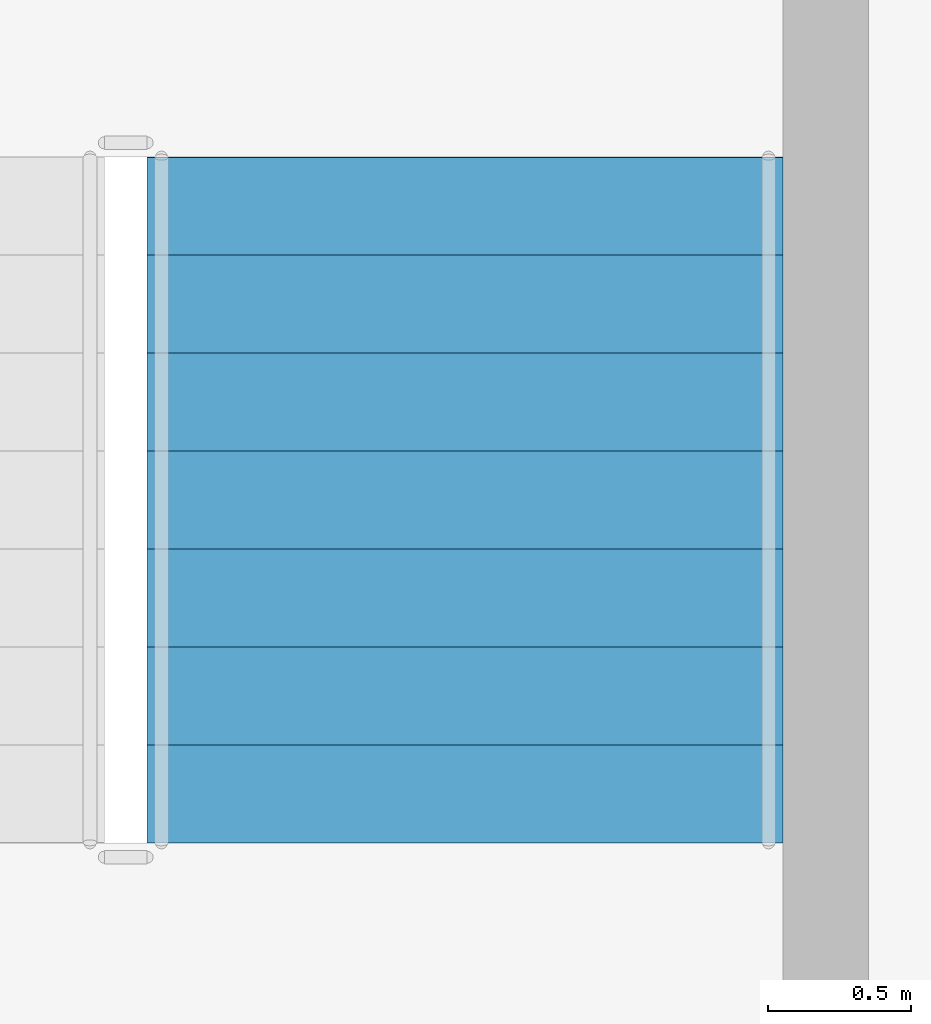
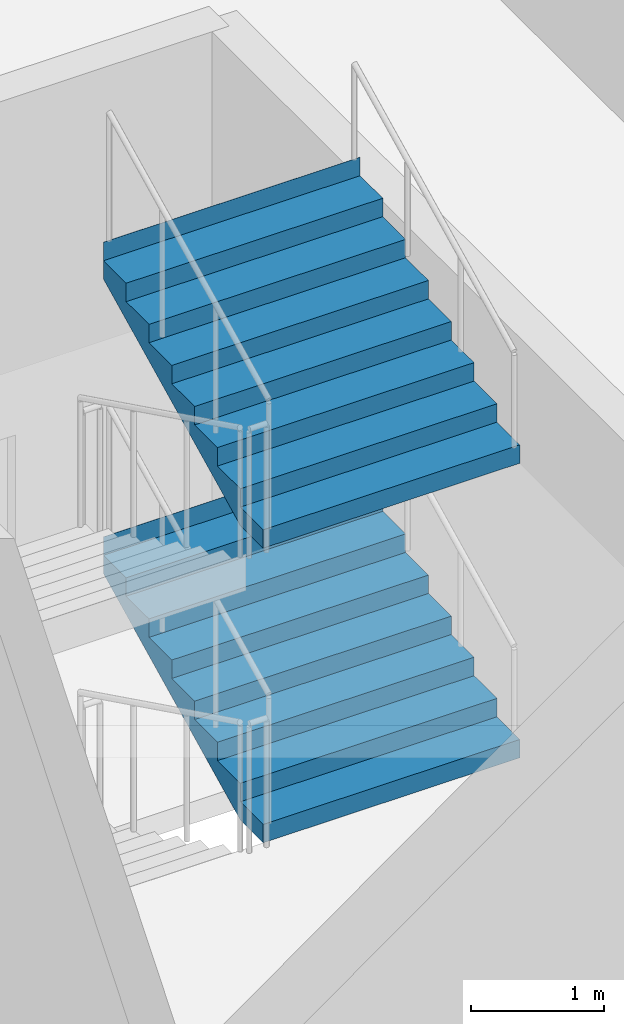
# One storey, part 30 of 42: 2 stair flights, 1 element without a shape of its own.
"""IFC4 building model written with IfcOpenShell, lengths in metres."""

from ifc_helpers import new_model, si_unit, direction, frame, origin, place, context, subcontext, project, spatial, triangles, material, type_object, element, aggregate, save


model = new_model("IFC4")

# Units and contexts
model_context = context("Model", 3, precision=1e-05, world=origin(), true_north=direction((0.0, 1.0)))
body_context = subcontext(model_context, "Body", "Model", "MODEL_VIEW")
ifc_project = project(units=[si_unit("LENGTHUNIT", "METRE"), si_unit("AREAUNIT", "SQUARE_METRE"), si_unit("VOLUMEUNIT", "CUBIC_METRE"), si_unit("PLANEANGLEUNIT", "RADIAN"), si_unit("MASSUNIT", "GRAM", prefix="KILO")], contexts=[model_context])

# Site, building, storey
site_placement = place(None, origin())
site = spatial("IfcSite", under=ifc_project, at=site_placement, CompositionType="ELEMENT")
building_placement = place(site_placement, origin())
building = spatial("IfcBuilding", under=site, at=building_placement, Name="Sahrelin Media Tower", CompositionType="ELEMENT")
storey_placement = place(building_placement, frame((0.0, 0.0, 26.0)))
storey = spatial("IfcBuildingStorey", under=building, at=storey_placement, Name="L03", CompositionType="ELEMENT", Elevation=26.0)

# Stair, stair flights
ifc_material = material(Name="Concrete C40/50", Category="concrete")
stair_type = type_object("IfcStairType", Name="Podium stair 2225", PredefinedType="HALF_TURN_STAIR", material=ifc_material)
stair_placement = place(storey_placement, origin())
stair = element("IfcStair", 1, at=stair_placement, inside=storey, type_object=stair_type, Name="L03 Podium stair PS3", PredefinedType="HALF_TURN_STAIR")
stair_flight_type = type_object("IfcStairFlightType", Name="Stair flight 2225", PredefinedType="STRAIGHT", material=ifc_material)
stair_flight_1_placement = place(storey_placement, frame((-9.46240234375, -33.02490234375, 1.35009765625), z_axis=(0.0, 0.0, 1.0), x_axis=(0.0, 1.0, 0.0)))
stair_flight_1 = element("IfcStairFlight", 2, at=stair_flight_1_placement, type_object=stair_flight_type, Name="PS3 flight 2", NumberOfRisers=8, NumberOfTreads=7, PredefinedType="STRAIGHT", RiserHeight=0.16875, TreadLength=0.342857143, context=body_context, shape_type="Tessellation", body=[
    triangles([(0.33935546875, 1.112548828125, 0.0), (0.33935546875, 0.794677734375, 0.0), (0.33935546875, 0.476806640625, 0.0), (0.33935546875, 0.158935546875, 0.0), (0.33935546875, -0.158935546875, 0.0), (0.33935546875, -0.476806640625, 0.0), (0.33935546875, -0.794677734375, 0.0), (0.33935546875, -1.112548828125, 0.0), (2.39990234375, 1.112548828125, 1.01416015625), (2.39990234375, 0.794677734375, 1.01416015625), (2.39990234375, 0.476806640625, 1.01416015625), (2.39990234375, 0.158935546875, 1.01416015625), (2.39990234375, -0.158935546875, 1.01416015625), (2.39990234375, -0.476806640625, 1.01416015625), (2.39990234375, -0.794677734375, 1.01416015625), (2.39990234375, -1.112548828125, 1.01416015625), (2.39990234375, 1.112548828125, 1.35009765625), (2.39990234375, 0.794677734375, 1.35009765625), (2.39990234375, 0.476806640625, 1.35009765625), (2.39990234375, 0.158935546875, 1.35009765625), (2.39990234375, -0.158935546875, 1.35009765625), (2.39990234375, -0.476806640625, 1.35009765625), (2.39990234375, -0.794677734375, 1.35009765625), (2.39990234375, -1.112548828125, 1.35009765625), (2.39794921875, 1.112548828125, 1.35009765625), (2.39794921875, 0.794677734375, 1.35009765625), (2.39794921875, 0.476806640625, 1.35009765625), (2.39794921875, 0.158935546875, 1.35009765625), (2.39794921875, -0.158935546875, 1.35009765625), (2.39794921875, -0.476806640625, 1.35009765625), (2.39794921875, -0.794677734375, 1.35009765625), (2.39794921875, -1.112548828125, 1.35009765625), (2.39794921875, 1.112548828125, 1.18115234375), (2.39794921875, 0.794677734375, 1.18115234375), (2.39794921875, 0.476806640625, 1.18115234375), (2.39794921875, 0.158935546875, 1.18115234375), (2.39794921875, -0.158935546875, 1.18115234375), (2.39794921875, -0.476806640625, 1.18115234375), (2.39794921875, -0.794677734375, 1.18115234375), (2.39794921875, -1.112548828125, 1.18115234375), (2.05712890625, 1.112548828125, 1.18115234375), (2.05712890625, 0.794677734375, 1.18115234375), (2.05712890625, 0.476806640625, 1.18115234375), (2.05712890625, 0.158935546875, 1.18115234375), (2.05712890625, -0.158935546875, 1.18115234375), (2.05712890625, -0.476806640625, 1.18115234375), (2.05712890625, -0.794677734375, 1.18115234375), (2.05712890625, -1.112548828125, 1.18115234375), (2.05712890625, 1.112548828125, 1.012451171875), (2.05712890625, 0.794677734375, 1.012451171875), (2.05712890625, 0.476806640625, 1.012451171875), (2.05712890625, 0.158935546875, 1.012451171875), (2.05712890625, -0.158935546875, 1.012451171875), (2.05712890625, -0.476806640625, 1.012451171875), (2.05712890625, -0.794677734375, 1.012451171875), (2.05712890625, -1.112548828125, 1.012451171875), (1.71435546875, 1.112548828125, 1.012451171875), (1.71435546875, 0.794677734375, 1.012451171875), (1.71435546875, 0.476806640625, 1.012451171875), (1.71435546875, 0.158935546875, 1.012451171875), (1.71435546875, -0.158935546875, 1.012451171875), (1.71435546875, -0.476806640625, 1.012451171875), (1.71435546875, -0.794677734375, 1.012451171875), (1.71435546875, -1.112548828125, 1.012451171875), (1.71435546875, 1.112548828125, 0.84375), (1.71435546875, 0.794677734375, 0.84375), (1.71435546875, 0.476806640625, 0.84375), (1.71435546875, 0.158935546875, 0.84375), (1.71435546875, -0.158935546875, 0.84375), (1.71435546875, -0.476806640625, 0.84375), (1.71435546875, -0.794677734375, 0.84375), (1.71435546875, -1.112548828125, 0.84375), (1.371337890625, 1.112548828125, 0.84375), (1.371337890625, 0.794677734375, 0.84375), (1.371337890625, 0.476806640625, 0.84375), (1.371337890625, 0.158935546875, 0.84375), (1.371337890625, -0.158935546875, 0.84375), (1.371337890625, -0.476806640625, 0.84375), (1.371337890625, -0.794677734375, 0.84375), (1.371337890625, -1.112548828125, 0.84375), (1.371337890625, 1.112548828125, 0.675048828125), (1.371337890625, 0.794677734375, 0.675048828125), (1.371337890625, 0.476806640625, 0.675048828125), (1.371337890625, 0.158935546875, 0.675048828125), (1.371337890625, -0.158935546875, 0.675048828125), (1.371337890625, -0.476806640625, 0.675048828125), (1.371337890625, -0.794677734375, 0.675048828125), (1.371337890625, -1.112548828125, 0.675048828125), (1.028564453125, 1.112548828125, 0.675048828125), (1.028564453125, 0.794677734375, 0.675048828125), (1.028564453125, 0.476806640625, 0.675048828125), (1.028564453125, 0.158935546875, 0.675048828125), (1.028564453125, -0.158935546875, 0.675048828125), (1.028564453125, -0.476806640625, 0.675048828125), (1.028564453125, -0.794677734375, 0.675048828125), (1.028564453125, -1.112548828125, 0.675048828125), (1.028564453125, 1.112548828125, 0.50634765625), (1.028564453125, 0.794677734375, 0.50634765625), (1.028564453125, 0.476806640625, 0.50634765625), (1.028564453125, 0.158935546875, 0.50634765625), (1.028564453125, -0.158935546875, 0.50634765625), (1.028564453125, -0.476806640625, 0.50634765625), (1.028564453125, -0.794677734375, 0.50634765625), (1.028564453125, -1.112548828125, 0.50634765625), (0.685791015625, 1.112548828125, 0.50634765625), (0.685791015625, 0.794677734375, 0.50634765625), (0.685791015625, 0.476806640625, 0.50634765625), (0.685791015625, 0.158935546875, 0.50634765625), (0.685791015625, -0.158935546875, 0.50634765625), (0.685791015625, -0.476806640625, 0.50634765625), (0.685791015625, -0.794677734375, 0.50634765625), (0.685791015625, -1.112548828125, 0.50634765625), (0.685791015625, 1.112548828125, 0.33740234375), (0.685791015625, 0.794677734375, 0.33740234375), (0.685791015625, 0.476806640625, 0.33740234375), (0.685791015625, 0.158935546875, 0.33740234375), (0.685791015625, -0.158935546875, 0.33740234375), (0.685791015625, -0.476806640625, 0.33740234375), (0.685791015625, -0.794677734375, 0.33740234375), (0.685791015625, -1.112548828125, 0.33740234375), (0.3427734375, 1.112548828125, 0.33740234375), (0.3427734375, 0.794677734375, 0.33740234375), (0.3427734375, 0.476806640625, 0.33740234375), (0.3427734375, 0.158935546875, 0.33740234375), (0.3427734375, -0.158935546875, 0.33740234375), (0.3427734375, -0.476806640625, 0.33740234375), (0.3427734375, -0.794677734375, 0.33740234375), (0.3427734375, -1.112548828125, 0.33740234375), (0.3427734375, 1.112548828125, 0.168701171875), (0.3427734375, 0.794677734375, 0.168701171875), (0.3427734375, 0.476806640625, 0.168701171875), (0.3427734375, 0.158935546875, 0.168701171875), (0.3427734375, -0.158935546875, 0.168701171875), (0.3427734375, -0.476806640625, 0.168701171875), (0.3427734375, -0.794677734375, 0.168701171875), (0.3427734375, -1.112548828125, 0.168701171875), (0.0, 1.112548828125, 0.168701171875), (0.0, 0.794677734375, 0.168701171875), (0.0, 0.476806640625, 0.168701171875), (0.0, 0.158935546875, 0.168701171875), (0.0, -0.158935546875, 0.168701171875), (0.0, -0.476806640625, 0.168701171875), (0.0, -0.794677734375, 0.168701171875), (0.0, -1.112548828125, 0.168701171875), (0.0, 1.112548828125, 0.0), (0.0, 0.794677734375, 0.0), (0.0, 0.476806640625, 0.0), (0.0, 0.158935546875, 0.0), (0.0, -0.158935546875, 0.0), (0.0, -0.476806640625, 0.0), (0.0, -0.794677734375, 0.0), (0.0, -1.112548828125, 0.0)], [[1, 9, 10], [1, 10, 2], [2, 10, 11], [2, 11, 3], [3, 11, 12], [3, 12, 4], [4, 12, 13], [4, 13, 5], [5, 13, 14], [5, 14, 6], [6, 14, 15], [6, 15, 7], [7, 15, 16], [7, 16, 8], [9, 17, 18], [9, 18, 10], [10, 18, 19], [10, 19, 11], [11, 19, 20], [11, 20, 12], [12, 20, 21], [12, 21, 13], [13, 21, 22], [13, 22, 14], [14, 22, 23], [14, 23, 15], [15, 23, 24], [15, 24, 16], [17, 25, 26], [17, 26, 18], [18, 26, 27], [18, 27, 19], [19, 27, 28], [19, 28, 20], [20, 28, 29], [20, 29, 21], [21, 29, 30], [21, 30, 22], [22, 30, 31], [22, 31, 23], [23, 31, 32], [23, 32, 24], [25, 33, 34], [25, 34, 26], [26, 34, 35], [26, 35, 27], [27, 35, 36], [27, 36, 28], [28, 36, 37], [28, 37, 29], [29, 37, 38], [29, 38, 30], [30, 38, 39], [30, 39, 31], [31, 39, 40], [31, 40, 32], [33, 41, 42], [33, 42, 34], [34, 42, 43], [34, 43, 35], [35, 43, 44], [35, 44, 36], [36, 44, 45], [36, 45, 37], [37, 45, 46], [37, 46, 38], [38, 46, 47], [38, 47, 39], [39, 47, 48], [39, 48, 40], [41, 49, 50], [41, 50, 42], [42, 50, 51], [42, 51, 43], [43, 51, 52], [43, 52, 44], [44, 52, 53], [44, 53, 45], [45, 53, 54], [45, 54, 46], [46, 54, 55], [46, 55, 47], [47, 55, 56], [47, 56, 48], [49, 57, 58], [49, 58, 50], [50, 58, 59], [50, 59, 51], [51, 59, 60], [51, 60, 52], [52, 60, 61], [52, 61, 53], [53, 61, 62], [53, 62, 54], [54, 62, 63], [54, 63, 55], [55, 63, 64], [55, 64, 56], [57, 65, 66], [57, 66, 58], [58, 66, 67], [58, 67, 59], [59, 67, 68], [59, 68, 60], [60, 68, 69], [60, 69, 61], [61, 69, 70], [61, 70, 62], [62, 70, 71], [62, 71, 63], [63, 71, 72], [63, 72, 64], [65, 73, 74], [65, 74, 66], [66, 74, 75], [66, 75, 67], [67, 75, 76], [67, 76, 68], [68, 76, 77], [68, 77, 69], [69, 77, 78], [69, 78, 70], [70, 78, 79], [70, 79, 71], [71, 79, 80], [71, 80, 72], [73, 81, 82], [73, 82, 74], [74, 82, 83], [74, 83, 75], [75, 83, 84], [75, 84, 76], [76, 84, 85], [76, 85, 77], [77, 85, 86], [77, 86, 78], [78, 86, 87], [78, 87, 79], [79, 87, 88], [79, 88, 80], [81, 89, 90], [81, 90, 82], [82, 90, 91], [82, 91, 83], [83, 91, 92], [83, 92, 84], [84, 92, 93], [84, 93, 85], [85, 93, 94], [85, 94, 86], [86, 94, 95], [86, 95, 87], [87, 95, 96], [87, 96, 88], [89, 97, 98], [89, 98, 90], [90, 98, 99], [90, 99, 91], [91, 99, 100], [91, 100, 92], [92, 100, 101], [92, 101, 93], [93, 101, 102], [93, 102, 94], [94, 102, 103], [94, 103, 95], [95, 103, 104], [95, 104, 96], [97, 105, 106], [97, 106, 98], [98, 106, 107], [98, 107, 99], [99, 107, 108], [99, 108, 100], [100, 108, 109], [100, 109, 101], [101, 109, 110], [101, 110, 102], [102, 110, 111], [102, 111, 103], [103, 111, 112], [103, 112, 104], [105, 113, 114], [105, 114, 106], [106, 114, 115], [106, 115, 107], [107, 115, 116], [107, 116, 108], [108, 116, 117], [108, 117, 109], [109, 117, 118], [109, 118, 110], [110, 118, 119], [110, 119, 111], [111, 119, 120], [111, 120, 112], [113, 121, 122], [113, 122, 114], [114, 122, 123], [114, 123, 115], [115, 123, 124], [115, 124, 116], [116, 124, 125], [116, 125, 117], [117, 125, 126], [117, 126, 118], [118, 126, 127], [118, 127, 119], [119, 127, 128], [119, 128, 120], [121, 129, 130], [121, 130, 122], [122, 130, 131], [122, 131, 123], [123, 131, 132], [123, 132, 124], [124, 132, 133], [124, 133, 125], [125, 133, 134], [125, 134, 126], [126, 134, 135], [126, 135, 127], [127, 135, 136], [127, 136, 128], [129, 137, 138], [129, 138, 130], [130, 138, 139], [130, 139, 131], [131, 139, 140], [131, 140, 132], [132, 140, 141], [132, 141, 133], [133, 141, 142], [133, 142, 134], [134, 142, 143], [134, 143, 135], [135, 143, 144], [135, 144, 136], [137, 145, 146], [137, 146, 138], [138, 146, 147], [138, 147, 139], [139, 147, 148], [139, 148, 140], [140, 148, 149], [140, 149, 141], [141, 149, 150], [141, 150, 142], [142, 150, 151], [142, 151, 143], [143, 151, 152], [143, 152, 144], [145, 1, 2], [145, 2, 146], [146, 2, 3], [146, 3, 147], [147, 3, 4], [147, 4, 148], [148, 4, 5], [148, 5, 149], [149, 5, 6], [149, 6, 150], [150, 6, 7], [150, 7, 151], [151, 7, 8], [151, 8, 152], [8, 144, 152], [1, 145, 137], [136, 120, 128], [129, 121, 113], [120, 104, 112], [113, 105, 97], [104, 88, 96], [97, 89, 81], [88, 72, 80], [81, 73, 65], [72, 56, 64], [65, 57, 49], [56, 40, 48], [49, 41, 33], [40, 24, 32], [33, 25, 17], [8, 136, 144], [1, 137, 129], [8, 88, 104], [1, 97, 81], [40, 16, 24], [33, 17, 9], [120, 136, 8], [113, 1, 129], [16, 72, 88], [9, 81, 65], [56, 16, 40], [49, 33, 9], [104, 120, 8], [97, 1, 113], [72, 16, 56], [65, 49, 9], [8, 16, 88], [1, 81, 9]], closed=True),
])
stair_flight_2_placement = place(storey_placement, frame((-9.46240234375, -33.02490234375, 4.050048828125), z_axis=(0.0, 0.0, 1.0), x_axis=(0.0, 1.0, 0.0)))
stair_flight_2 = element("IfcStairFlight", 3, at=stair_flight_2_placement, type_object=stair_flight_type, Name="PS3 flight 4", NumberOfRisers=8, NumberOfTreads=7, PredefinedType="STRAIGHT", RiserHeight=0.16875, TreadLength=0.342857143, context=body_context, shape_type="Tessellation", body=[
    triangles([(0.33935546875, 1.112548828125, 0.0), (0.33935546875, 0.794677734375, 0.0), (0.33935546875, 0.476806640625, 0.0), (0.33935546875, 0.158935546875, 0.0), (0.33935546875, -0.158935546875, 0.0), (0.33935546875, -0.476806640625, 0.0), (0.33935546875, -0.794677734375, 0.0), (0.33935546875, -1.112548828125, 0.0), (2.39990234375, 1.112548828125, 1.01416015625), (2.39990234375, 0.794677734375, 1.01416015625), (2.39990234375, 0.476806640625, 1.01416015625), (2.39990234375, 0.158935546875, 1.01416015625), (2.39990234375, -0.158935546875, 1.01416015625), (2.39990234375, -0.476806640625, 1.01416015625), (2.39990234375, -0.794677734375, 1.01416015625), (2.39990234375, -1.112548828125, 1.01416015625), (2.39990234375, 1.112548828125, 1.35009765625), (2.39990234375, 0.794677734375, 1.35009765625), (2.39990234375, 0.476806640625, 1.35009765625), (2.39990234375, 0.158935546875, 1.35009765625), (2.39990234375, -0.158935546875, 1.35009765625), (2.39990234375, -0.476806640625, 1.35009765625), (2.39990234375, -0.794677734375, 1.35009765625), (2.39990234375, -1.112548828125, 1.35009765625), (2.39794921875, 1.112548828125, 1.35009765625), (2.39794921875, 0.794677734375, 1.35009765625), (2.39794921875, 0.476806640625, 1.35009765625), (2.39794921875, 0.158935546875, 1.35009765625), (2.39794921875, -0.158935546875, 1.35009765625), (2.39794921875, -0.476806640625, 1.35009765625), (2.39794921875, -0.794677734375, 1.35009765625), (2.39794921875, -1.112548828125, 1.35009765625), (2.39794921875, 1.112548828125, 1.18115234375), (2.39794921875, 0.794677734375, 1.18115234375), (2.39794921875, 0.476806640625, 1.18115234375), (2.39794921875, 0.158935546875, 1.18115234375), (2.39794921875, -0.158935546875, 1.18115234375), (2.39794921875, -0.476806640625, 1.18115234375), (2.39794921875, -0.794677734375, 1.18115234375), (2.39794921875, -1.112548828125, 1.18115234375), (2.05712890625, 1.112548828125, 1.18115234375), (2.05712890625, 0.794677734375, 1.18115234375), (2.05712890625, 0.476806640625, 1.18115234375), (2.05712890625, 0.158935546875, 1.18115234375), (2.05712890625, -0.158935546875, 1.18115234375), (2.05712890625, -0.476806640625, 1.18115234375), (2.05712890625, -0.794677734375, 1.18115234375), (2.05712890625, -1.112548828125, 1.18115234375), (2.05712890625, 1.112548828125, 1.012451171875), (2.05712890625, 0.794677734375, 1.012451171875), (2.05712890625, 0.476806640625, 1.012451171875), (2.05712890625, 0.158935546875, 1.012451171875), (2.05712890625, -0.158935546875, 1.012451171875), (2.05712890625, -0.476806640625, 1.012451171875), (2.05712890625, -0.794677734375, 1.012451171875), (2.05712890625, -1.112548828125, 1.012451171875), (1.71435546875, 1.112548828125, 1.012451171875), (1.71435546875, 0.794677734375, 1.012451171875), (1.71435546875, 0.476806640625, 1.012451171875), (1.71435546875, 0.158935546875, 1.012451171875), (1.71435546875, -0.158935546875, 1.012451171875), (1.71435546875, -0.476806640625, 1.012451171875), (1.71435546875, -0.794677734375, 1.012451171875), (1.71435546875, -1.112548828125, 1.012451171875), (1.71435546875, 1.112548828125, 0.84375), (1.71435546875, 0.794677734375, 0.84375), (1.71435546875, 0.476806640625, 0.84375), (1.71435546875, 0.158935546875, 0.84375), (1.71435546875, -0.158935546875, 0.84375), (1.71435546875, -0.476806640625, 0.84375), (1.71435546875, -0.794677734375, 0.84375), (1.71435546875, -1.112548828125, 0.84375), (1.371337890625, 1.112548828125, 0.84375), (1.371337890625, 0.794677734375, 0.84375), (1.371337890625, 0.476806640625, 0.84375), (1.371337890625, 0.158935546875, 0.84375), (1.371337890625, -0.158935546875, 0.84375), (1.371337890625, -0.476806640625, 0.84375), (1.371337890625, -0.794677734375, 0.84375), (1.371337890625, -1.112548828125, 0.84375), (1.371337890625, 1.112548828125, 0.675048828125), (1.371337890625, 0.794677734375, 0.675048828125), (1.371337890625, 0.476806640625, 0.675048828125), (1.371337890625, 0.158935546875, 0.675048828125), (1.371337890625, -0.158935546875, 0.675048828125), (1.371337890625, -0.476806640625, 0.675048828125), (1.371337890625, -0.794677734375, 0.675048828125), (1.371337890625, -1.112548828125, 0.675048828125), (1.028564453125, 1.112548828125, 0.675048828125), (1.028564453125, 0.794677734375, 0.675048828125), (1.028564453125, 0.476806640625, 0.675048828125), (1.028564453125, 0.158935546875, 0.675048828125), (1.028564453125, -0.158935546875, 0.675048828125), (1.028564453125, -0.476806640625, 0.675048828125), (1.028564453125, -0.794677734375, 0.675048828125), (1.028564453125, -1.112548828125, 0.675048828125), (1.028564453125, 1.112548828125, 0.50634765625), (1.028564453125, 0.794677734375, 0.50634765625), (1.028564453125, 0.476806640625, 0.50634765625), (1.028564453125, 0.158935546875, 0.50634765625), (1.028564453125, -0.158935546875, 0.50634765625), (1.028564453125, -0.476806640625, 0.50634765625), (1.028564453125, -0.794677734375, 0.50634765625), (1.028564453125, -1.112548828125, 0.50634765625), (0.685791015625, 1.112548828125, 0.50634765625), (0.685791015625, 0.794677734375, 0.50634765625), (0.685791015625, 0.476806640625, 0.50634765625), (0.685791015625, 0.158935546875, 0.50634765625), (0.685791015625, -0.158935546875, 0.50634765625), (0.685791015625, -0.476806640625, 0.50634765625), (0.685791015625, -0.794677734375, 0.50634765625), (0.685791015625, -1.112548828125, 0.50634765625), (0.685791015625, 1.112548828125, 0.33740234375), (0.685791015625, 0.794677734375, 0.33740234375), (0.685791015625, 0.476806640625, 0.33740234375), (0.685791015625, 0.158935546875, 0.33740234375), (0.685791015625, -0.158935546875, 0.33740234375), (0.685791015625, -0.476806640625, 0.33740234375), (0.685791015625, -0.794677734375, 0.33740234375), (0.685791015625, -1.112548828125, 0.33740234375), (0.3427734375, 1.112548828125, 0.33740234375), (0.3427734375, 0.794677734375, 0.33740234375), (0.3427734375, 0.476806640625, 0.33740234375), (0.3427734375, 0.158935546875, 0.33740234375), (0.3427734375, -0.158935546875, 0.33740234375), (0.3427734375, -0.476806640625, 0.33740234375), (0.3427734375, -0.794677734375, 0.33740234375), (0.3427734375, -1.112548828125, 0.33740234375), (0.3427734375, 1.112548828125, 0.168701171875), (0.3427734375, 0.794677734375, 0.168701171875), (0.3427734375, 0.476806640625, 0.168701171875), (0.3427734375, 0.158935546875, 0.168701171875), (0.3427734375, -0.158935546875, 0.168701171875), (0.3427734375, -0.476806640625, 0.168701171875), (0.3427734375, -0.794677734375, 0.168701171875), (0.3427734375, -1.112548828125, 0.168701171875), (0.0, 1.112548828125, 0.168701171875), (0.0, 0.794677734375, 0.168701171875), (0.0, 0.476806640625, 0.168701171875), (0.0, 0.158935546875, 0.168701171875), (0.0, -0.158935546875, 0.168701171875), (0.0, -0.476806640625, 0.168701171875), (0.0, -0.794677734375, 0.168701171875), (0.0, -1.112548828125, 0.168701171875), (0.0, 1.112548828125, 0.0), (0.0, 0.794677734375, 0.0), (0.0, 0.476806640625, 0.0), (0.0, 0.158935546875, 0.0), (0.0, -0.158935546875, 0.0), (0.0, -0.476806640625, 0.0), (0.0, -0.794677734375, 0.0), (0.0, -1.112548828125, 0.0)], [[1, 9, 10], [1, 10, 2], [2, 10, 11], [2, 11, 3], [3, 11, 12], [3, 12, 4], [4, 12, 13], [4, 13, 5], [5, 13, 14], [5, 14, 6], [6, 14, 15], [6, 15, 7], [7, 15, 16], [7, 16, 8], [9, 17, 18], [9, 18, 10], [10, 18, 19], [10, 19, 11], [11, 19, 20], [11, 20, 12], [12, 20, 21], [12, 21, 13], [13, 21, 22], [13, 22, 14], [14, 22, 23], [14, 23, 15], [15, 23, 24], [15, 24, 16], [17, 25, 26], [17, 26, 18], [18, 26, 27], [18, 27, 19], [19, 27, 28], [19, 28, 20], [20, 28, 29], [20, 29, 21], [21, 29, 30], [21, 30, 22], [22, 30, 31], [22, 31, 23], [23, 31, 32], [23, 32, 24], [25, 33, 34], [25, 34, 26], [26, 34, 35], [26, 35, 27], [27, 35, 36], [27, 36, 28], [28, 36, 37], [28, 37, 29], [29, 37, 38], [29, 38, 30], [30, 38, 39], [30, 39, 31], [31, 39, 40], [31, 40, 32], [33, 41, 42], [33, 42, 34], [34, 42, 43], [34, 43, 35], [35, 43, 44], [35, 44, 36], [36, 44, 45], [36, 45, 37], [37, 45, 46], [37, 46, 38], [38, 46, 47], [38, 47, 39], [39, 47, 48], [39, 48, 40], [41, 49, 50], [41, 50, 42], [42, 50, 51], [42, 51, 43], [43, 51, 52], [43, 52, 44], [44, 52, 53], [44, 53, 45], [45, 53, 54], [45, 54, 46], [46, 54, 55], [46, 55, 47], [47, 55, 56], [47, 56, 48], [49, 57, 58], [49, 58, 50], [50, 58, 59], [50, 59, 51], [51, 59, 60], [51, 60, 52], [52, 60, 61], [52, 61, 53], [53, 61, 62], [53, 62, 54], [54, 62, 63], [54, 63, 55], [55, 63, 64], [55, 64, 56], [57, 65, 66], [57, 66, 58], [58, 66, 67], [58, 67, 59], [59, 67, 68], [59, 68, 60], [60, 68, 69], [60, 69, 61], [61, 69, 70], [61, 70, 62], [62, 70, 71], [62, 71, 63], [63, 71, 72], [63, 72, 64], [65, 73, 74], [65, 74, 66], [66, 74, 75], [66, 75, 67], [67, 75, 76], [67, 76, 68], [68, 76, 77], [68, 77, 69], [69, 77, 78], [69, 78, 70], [70, 78, 79], [70, 79, 71], [71, 79, 80], [71, 80, 72], [73, 81, 82], [73, 82, 74], [74, 82, 83], [74, 83, 75], [75, 83, 84], [75, 84, 76], [76, 84, 85], [76, 85, 77], [77, 85, 86], [77, 86, 78], [78, 86, 87], [78, 87, 79], [79, 87, 88], [79, 88, 80], [81, 89, 90], [81, 90, 82], [82, 90, 91], [82, 91, 83], [83, 91, 92], [83, 92, 84], [84, 92, 93], [84, 93, 85], [85, 93, 94], [85, 94, 86], [86, 94, 95], [86, 95, 87], [87, 95, 96], [87, 96, 88], [89, 97, 98], [89, 98, 90], [90, 98, 99], [90, 99, 91], [91, 99, 100], [91, 100, 92], [92, 100, 101], [92, 101, 93], [93, 101, 102], [93, 102, 94], [94, 102, 103], [94, 103, 95], [95, 103, 104], [95, 104, 96], [97, 105, 106], [97, 106, 98], [98, 106, 107], [98, 107, 99], [99, 107, 108], [99, 108, 100], [100, 108, 109], [100, 109, 101], [101, 109, 110], [101, 110, 102], [102, 110, 111], [102, 111, 103], [103, 111, 112], [103, 112, 104], [105, 113, 114], [105, 114, 106], [106, 114, 115], [106, 115, 107], [107, 115, 116], [107, 116, 108], [108, 116, 117], [108, 117, 109], [109, 117, 118], [109, 118, 110], [110, 118, 119], [110, 119, 111], [111, 119, 120], [111, 120, 112], [113, 121, 122], [113, 122, 114], [114, 122, 123], [114, 123, 115], [115, 123, 124], [115, 124, 116], [116, 124, 125], [116, 125, 117], [117, 125, 126], [117, 126, 118], [118, 126, 127], [118, 127, 119], [119, 127, 128], [119, 128, 120], [121, 129, 130], [121, 130, 122], [122, 130, 131], [122, 131, 123], [123, 131, 132], [123, 132, 124], [124, 132, 133], [124, 133, 125], [125, 133, 134], [125, 134, 126], [126, 134, 135], [126, 135, 127], [127, 135, 136], [127, 136, 128], [129, 137, 138], [129, 138, 130], [130, 138, 139], [130, 139, 131], [131, 139, 140], [131, 140, 132], [132, 140, 141], [132, 141, 133], [133, 141, 142], [133, 142, 134], [134, 142, 143], [134, 143, 135], [135, 143, 144], [135, 144, 136], [137, 145, 146], [137, 146, 138], [138, 146, 147], [138, 147, 139], [139, 147, 148], [139, 148, 140], [140, 148, 149], [140, 149, 141], [141, 149, 150], [141, 150, 142], [142, 150, 151], [142, 151, 143], [143, 151, 152], [143, 152, 144], [145, 1, 2], [145, 2, 146], [146, 2, 3], [146, 3, 147], [147, 3, 4], [147, 4, 148], [148, 4, 5], [148, 5, 149], [149, 5, 6], [149, 6, 150], [150, 6, 7], [150, 7, 151], [151, 7, 8], [151, 8, 152], [8, 144, 152], [1, 145, 137], [136, 120, 128], [129, 121, 113], [120, 104, 112], [113, 105, 97], [104, 88, 96], [97, 89, 81], [88, 72, 80], [81, 73, 65], [72, 56, 64], [65, 57, 49], [56, 40, 48], [49, 41, 33], [40, 24, 32], [33, 25, 17], [8, 136, 144], [1, 137, 129], [8, 88, 104], [1, 97, 81], [40, 16, 24], [33, 17, 9], [120, 136, 8], [113, 1, 129], [16, 72, 88], [9, 81, 65], [56, 16, 40], [49, 33, 9], [104, 120, 8], [97, 1, 113], [72, 16, 56], [65, 49, 9], [8, 16, 88], [1, 81, 9]], closed=True),
])
aggregate(stair, [stair_flight_1, stair_flight_2])

save(model, "model.ifc")
